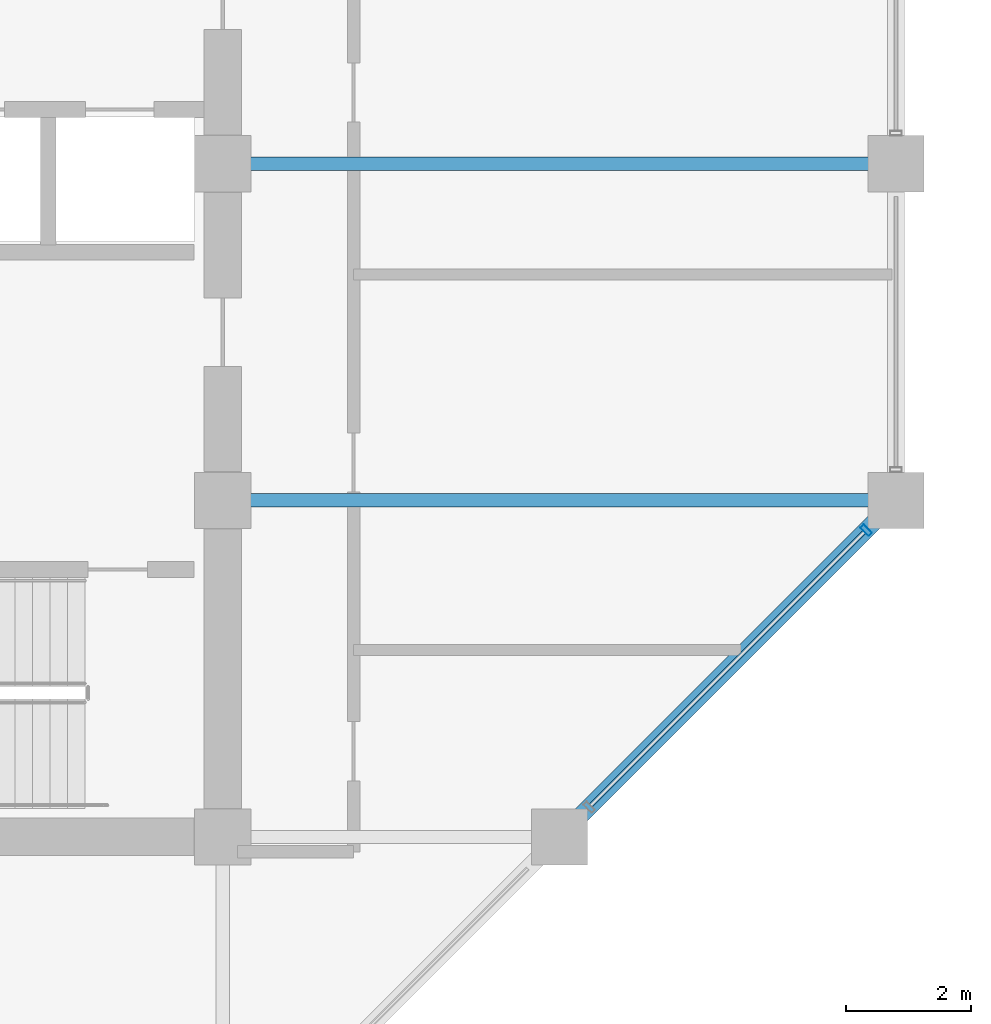
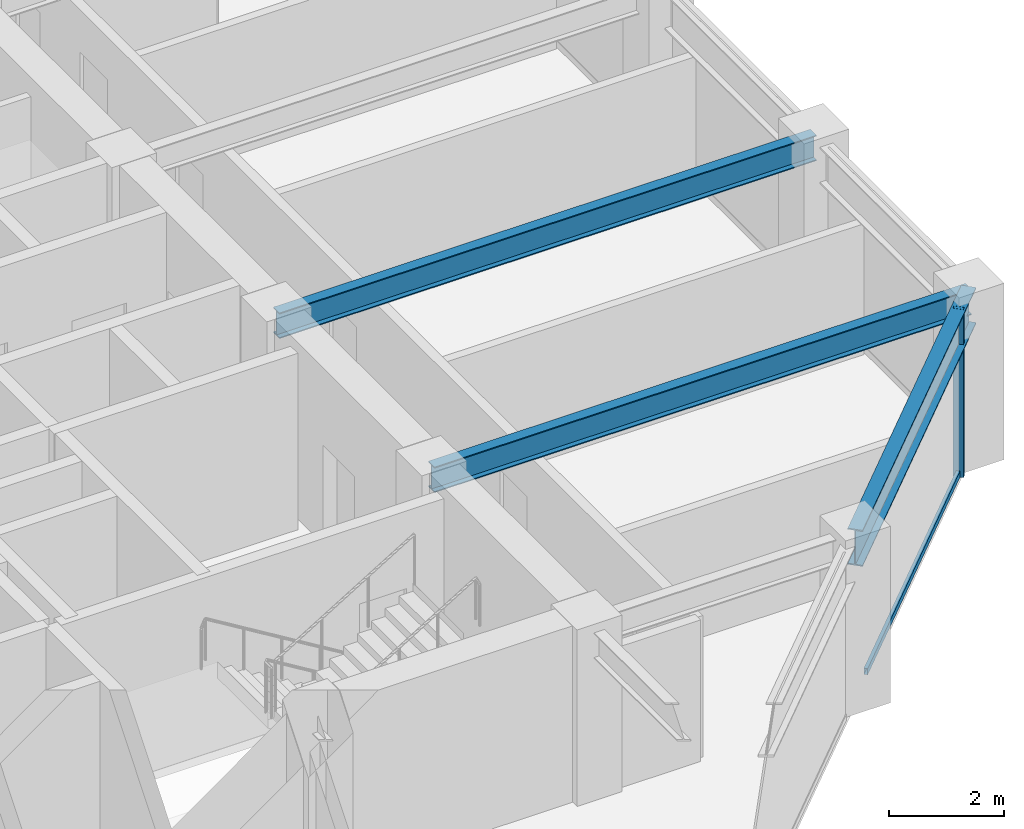
# One storey, part 13 of 31: 3 beams, 2 members, 1 element without a shape of its own.
"""IFC4 building model written with IfcOpenShell, lengths in metres."""

from ifc_helpers import new_model, si_unit, direction, frame, origin, origin_2d, place, context, subcontext, project, spatial, hollow_rectangle, i_section, extrude, material, layer, layer_set, material_profile, profile_set, type_object, element, aggregate, save


model = new_model("IFC4")

# Units and contexts
model_context = context("Model", 3, precision=1e-05, world=origin(), true_north=direction((0.0, 1.0)))
body_context = subcontext(model_context, "Body", "Model", "MODEL_VIEW")
ifc_project = project(units=[si_unit("LENGTHUNIT", "METRE"), si_unit("AREAUNIT", "SQUARE_METRE"), si_unit("VOLUMEUNIT", "CUBIC_METRE"), si_unit("PLANEANGLEUNIT", "RADIAN"), si_unit("MASSUNIT", "GRAM", prefix="KILO")], contexts=[model_context])

# Site, building, storey
site_placement = place(None, origin())
site = spatial("IfcSite", under=ifc_project, at=site_placement, CompositionType="ELEMENT")
building_placement = place(site_placement, origin())
building = spatial("IfcBuilding", under=site, at=building_placement, Name="Surkhivell Harbour Commons", CompositionType="ELEMENT")
storey_placement = place(building_placement, frame((0.0, 0.0, 193.5)))
storey = spatial("IfcBuildingStorey", under=building, at=storey_placement, Name="L50", CompositionType="ELEMENT", Elevation=193.5)

# Beams
ifc_material_1 = material(Name="Steel S355", Category="steel")
ifc_material_profile_1 = material_profile(ifc_material_1, i_section(OverallWidth=0.2119140625, OverallDepth=0.5439453125, WebThickness=0.0126953125, FlangeThickness=0.021240234375, at=origin_2d()), Name="UB533x210x122")
ifc_profile_set_1 = profile_set([ifc_material_profile_1], Name="Steel S355")
beam_type_1 = type_object("IfcBeamType", Name="BM-GRD-533A", PredefinedType="BEAM", material=ifc_profile_set_1)
for number, where, z_axis, x_axis, name in (
    (1, (10.800048828125, -5.39990234375, 3.298095703125), (1.0, 0.0, 0.0), (0.0, 1.0, 0.0), "L50 Floor Girder (10.8,-5.4)"),
    (2, (10.800048828125, 0.0, 3.298095703125), (1.0, 0.0, 0.0), (0.0, 1.0, 0.0), "L50 Floor Girder (10.8,0.0)"),
):
    element("IfcBeam", number, at=place(storey_placement, frame(where, z_axis=z_axis, x_axis=x_axis)), inside=storey, type_object=beam_type_1, Name=name, PredefinedType="BEAM", context=body_context, shape_type="SweptSolid", body=[
        extrude(i_section(OverallWidth=0.2119140625, OverallDepth=0.5439453125, WebThickness=0.0126953125, FlangeThickness=0.021240234375, at=origin_2d()), origin(), (0.0, 0.0, 1.0), 10.800048828125),
    ])
ifc_material_profile_2 = material_profile(ifc_material_1, i_section(OverallWidth=0.26806640625, OverallDepth=0.77001953125, WebThickness=0.015625, FlangeThickness=0.025390625, at=origin_2d()), Name="UB762x267x197")
ifc_profile_set_2 = profile_set([ifc_material_profile_2], Name="Steel S355")
beam_type_2 = type_object("IfcBeamType", Name="BM-SPN-762", PredefinedType="SPANDREL", material=ifc_profile_set_2)
beam_placement = place(storey_placement, frame((16.199951171875, -10.800048828125, 3.18505859375), z_axis=(0.707106781187, 0.707106781187, 0.0), x_axis=(-0.707106781187, 0.707106781187, 0.0)))
element("IfcBeam", 3, at=beam_placement, inside=storey, type_object=beam_type_2, Name="L50 Tube Spandrel (16.2,-10.8)", PredefinedType="SPANDREL", context=body_context, shape_type="SweptSolid", body=[
    extrude(i_section(OverallWidth=0.26806640625, OverallDepth=0.77001953125, WebThickness=0.015625, FlangeThickness=0.025390625, at=origin_2d()), origin(), (0.0, 0.0, 1.0), 7.636962890625),
])

# Curtain wall, members
ifc_material_2 = material(Name="Anodised pale-metal aluminium and insulated glazing", Category="aluminium")
ifc_layer = layer(ifc_material_2, 0.18994140625)
ifc_layer_set = layer_set([ifc_layer], Name="Anodised pale-metal aluminium and insulated glazing")
curtain_wall_type = type_object("IfcCurtainWallType", Name="CW-SYS-Z3", PredefinedType="NOTDEFINED", material=ifc_layer_set)
curtain_wall_placement = place(storey_placement, origin())
curtain_wall = element("IfcCurtainWall", 4, at=curtain_wall_placement, inside=storey, type_object=curtain_wall_type, Name="L50 Curtain Wall CW-L50-E01", PredefinedType="NOTDEFINED")
ifc_material_3 = material(Name="Anodised pale-metal aluminium alloy 6063-T6", Category="aluminium")
ifc_material_profile_3 = material_profile(ifc_material_3, hollow_rectangle(XDim=0.074951171875, YDim=0.18994140625, WallThickness=0.00390625, at=origin_2d()), Name="ALU-MULL-75x190")
ifc_profile_set_3 = profile_set([ifc_material_profile_3], Name="Anodised pale-metal aluminium alloy 6063-T6")
member_type_1 = type_object("IfcMemberType", Name="CWM-190", PredefinedType="MULLION", material=ifc_profile_set_3)
member_1_placement = place(storey_placement, frame((21.121826171875, -5.878173828125, 0.0), z_axis=(0.0, 0.0, 1.0), x_axis=(0.707106781187, 0.707106781187, 0.0)))
member_1 = element("IfcMember", 5, at=member_1_placement, type_object=member_type_1, Name="CW-Z3 mullion 4", PredefinedType="MULLION", context=body_context, shape_type="SweptSolid", body=[
    extrude(hollow_rectangle(XDim=0.074951171875, YDim=0.18994140625, WallThickness=0.00390625, at=origin_2d()), origin(), (0.0, 0.0, 1.0), 3.570068359375),
])
ifc_material_4 = material(Name="Champagne anodised aluminium alloy 6063-T6", Category="aluminium")
ifc_material_profile_4 = material_profile(ifc_material_4, hollow_rectangle(XDim=0.070068359375, YDim=0.1298828125, WallThickness=0.00341796875, at=origin_2d()), Name="ALU-TRAN-70x130")
ifc_profile_set_4 = profile_set([ifc_material_profile_4], Name="Champagne anodised aluminium alloy 6063-T6")
member_type_2 = type_object("IfcMemberType", Name="CWT-130", PredefinedType="USERDEFINED", material=ifc_profile_set_4)
member_2_placement = place(storey_placement, frame((16.70458984375, -10.29541015625, 0.06494140625), z_axis=(0.707106781187, 0.707106781187, 0.0), x_axis=(-0.707106781187, 0.707106781187, 0.0)))
member_2 = element("IfcMember", 6, at=member_2_placement, type_object=member_type_2, Name="CW-Z3 transom 3.1", ObjectType="TRANSOM", PredefinedType="USERDEFINED", context=body_context, shape_type="SweptSolid", body=[
    extrude(hollow_rectangle(XDim=0.070068359375, YDim=0.1298828125, WallThickness=0.00341796875, at=origin_2d()), origin(), (0.0, 0.0, 1.0), 6.209228515625),
])
aggregate(curtain_wall, [member_1, member_2])

save(model, "model.ifc")
